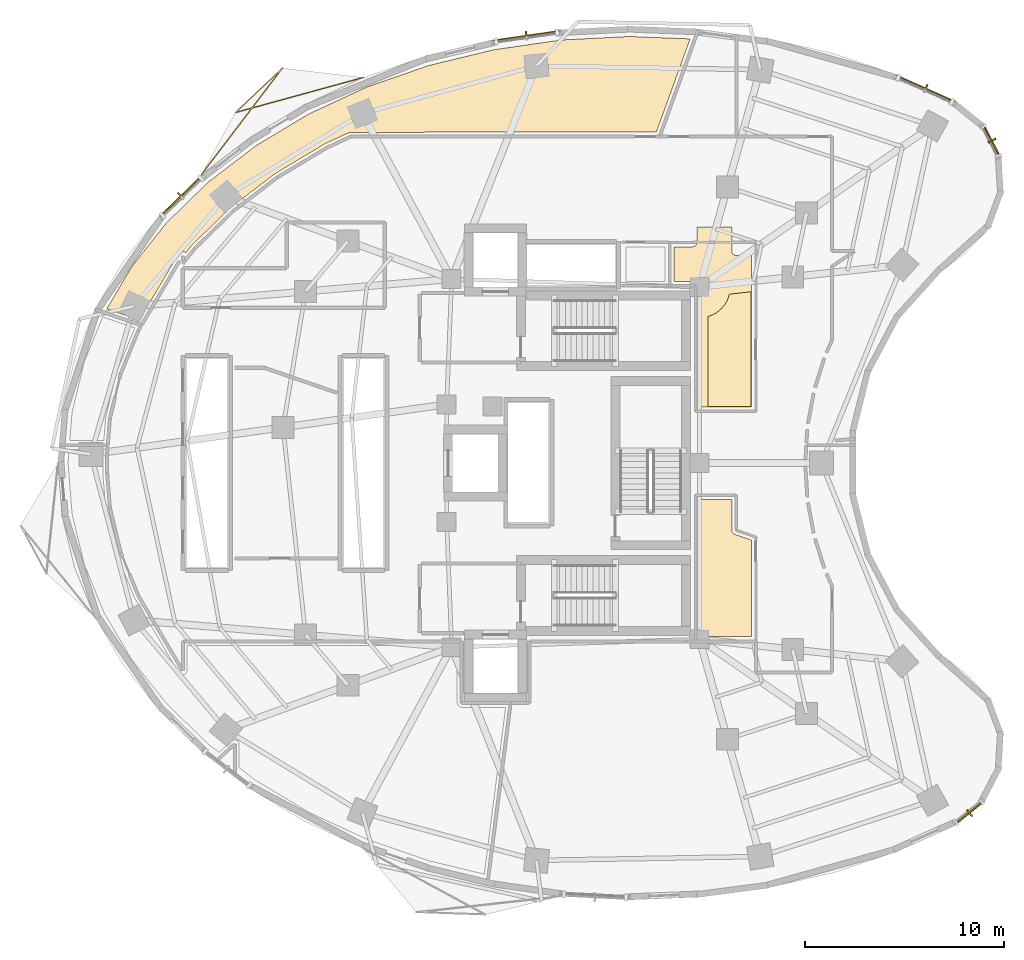
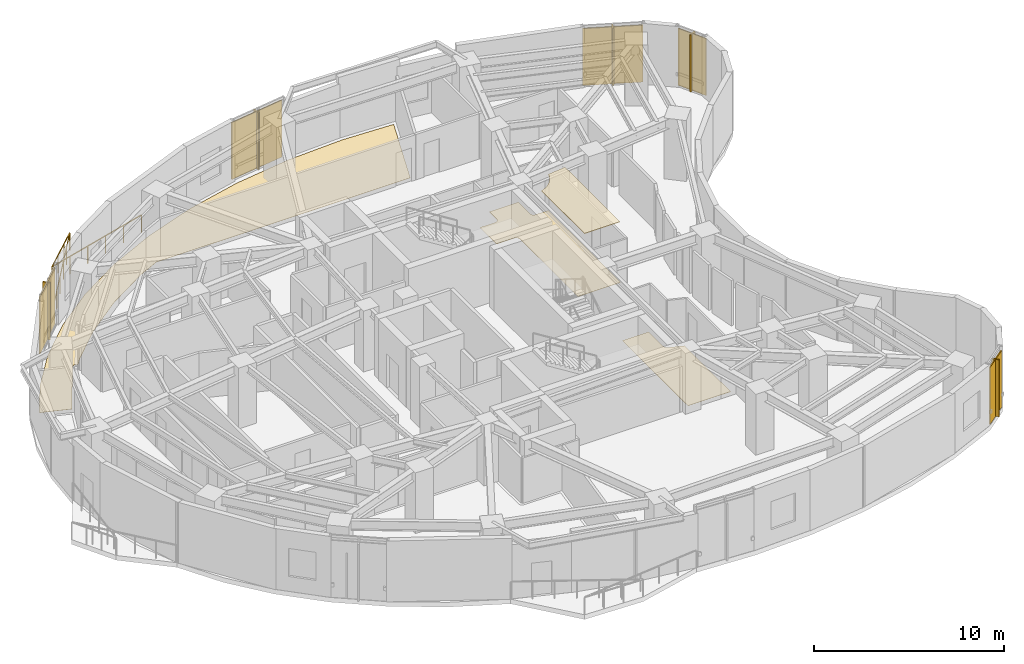
# One storey, part 13 of 13: 10 shading devices, 4 coverings, 1 railing.
"""IFC4 building model written with IfcOpenShell, lengths in metres."""

from ifc_helpers import new_model, si_unit, direction, frame, origin, origin_2d, place, context, subcontext, project, spatial, polyline, rectangle, outline, extrude, material, layer, layer_set, type_object, element, save


model = new_model("IFC4")

# Units and contexts
model_context = context("Model", 3, precision=1e-05, world=origin(), true_north=direction((0.0, 1.0)))
body_context = subcontext(model_context, "Body", "Model", "MODEL_VIEW")
ifc_project = project(units=[si_unit("LENGTHUNIT", "METRE"), si_unit("AREAUNIT", "SQUARE_METRE"), si_unit("VOLUMEUNIT", "CUBIC_METRE"), si_unit("PLANEANGLEUNIT", "RADIAN"), si_unit("MASSUNIT", "GRAM", prefix="KILO")], contexts=[model_context])

# Site, building, storey
site_placement = place(None, origin())
site = spatial("IfcSite", under=ifc_project, at=site_placement, CompositionType="ELEMENT")
building_placement = place(site_placement, origin())
building = spatial("IfcBuilding", under=site, at=building_placement, Name="Korentha Bioscience Tower", CompositionType="ELEMENT")
storey_placement = place(building_placement, frame((0.0, 0.0, 123.60009765625)))
storey = spatial("IfcBuildingStorey", under=building, at=storey_placement, Name="L28", CompositionType="ELEMENT", Elevation=123.60009765625)

# Railing
ifc_material_1 = material(Name="Laminated Tempered Safety Glass", Category="glass")
railing_type = type_object("IfcRailingType", Name="Laminated Glass Balcony Guardrail 1150", PredefinedType="BALUSTRADE", material=ifc_material_1)
railing_placement = place(storey_placement, frame((20.66650390625, 46.37890625, 0.0)))
element("IfcRailing", 1, at=railing_placement, inside=storey, type_object=railing_type, Name="L28 Balcony Guardrail 01", PredefinedType="BALUSTRADE", context=body_context, shape_type="SweptSolid", body=[
    extrude(rectangle(XDim=0.048095703125, YDim=0.048095703125, at=origin_2d()), frame((0.0, 0.0, 1.1259765625), z_axis=(-0.964316998133, -0.264750310883, 0.0), x_axis=(0.264750310883, -0.964316998133, 0.0)), (0.0, 0.0, 1.0), 6.67822265625),
    extrude(rectangle(XDim=0.048095703125, YDim=0.048095703125, at=origin_2d()), frame((-6.43994140625, -1.76806640625, 1.1259765625), z_axis=(0.726986123575, 0.68665215075, 0.0), x_axis=(-0.68665215075, 0.726986123575, 0.0)), (0.0, 0.0, 1.0), 3.256591796875),
    extrude(rectangle(XDim=0.048095703125, YDim=0.048095703125, at=origin_2d()), frame((-4.072509765625, 0.468017578125, 1.1259765625), z_axis=(-0.605446843346, -0.795885745495, 0.0), x_axis=(0.795885745495, -0.605446843346, 0.0)), (0.0, 0.0, 1.0), 6.72412109375),
    extrude(rectangle(XDim=0.0419921875, YDim=0.0419921875, at=origin_2d()), origin(), (0.0, 0.0, 1.0), 1.101806640625),
    extrude(rectangle(XDim=0.0419921875, YDim=0.0419921875, at=origin_2d()), frame((-1.2880859375, -0.353515625, 0.0)), (0.0, 0.0, 1.0), 1.101806640625),
    extrude(rectangle(XDim=0.0419921875, YDim=0.0419921875, at=origin_2d()), frame((-2.575927734375, -0.707275390625, 0.0)), (0.0, 0.0, 1.0), 1.101806640625),
    extrude(rectangle(XDim=0.0419921875, YDim=0.0419921875, at=origin_2d()), frame((-3.864013671875, -1.060791015625, 0.0)), (0.0, 0.0, 1.0), 1.101806640625),
    extrude(rectangle(XDim=0.0419921875, YDim=0.0419921875, at=origin_2d()), frame((-5.15185546875, -1.41455078125, 0.0)), (0.0, 0.0, 1.0), 1.101806640625),
    extrude(rectangle(XDim=0.0419921875, YDim=0.0419921875, at=origin_2d()), frame((-6.43994140625, -1.76806640625, 0.0)), (0.0, 0.0, 1.0), 1.101806640625),
    extrude(rectangle(XDim=0.0419921875, YDim=0.0419921875, at=origin_2d()), frame((-5.65087890625, -1.022705078125, 0.0)), (0.0, 0.0, 1.0), 1.101806640625),
    extrude(rectangle(XDim=0.0419921875, YDim=0.0419921875, at=origin_2d()), frame((-4.861572265625, -0.27734375, 0.0)), (0.0, 0.0, 1.0), 1.101806640625),
    extrude(rectangle(XDim=0.0419921875, YDim=0.0419921875, at=origin_2d()), frame((-4.072509765625, 0.468017578125, 0.0)), (0.0, 0.0, 1.0), 1.101806640625),
    extrude(rectangle(XDim=0.0419921875, YDim=0.0419921875, at=origin_2d()), frame((-4.88671875, -0.602294921875, 0.0)), (0.0, 0.0, 1.0), 1.101806640625),
    extrude(rectangle(XDim=0.0419921875, YDim=0.0419921875, at=origin_2d()), frame((-5.700927734375, -1.672607421875, 0.0)), (0.0, 0.0, 1.0), 1.101806640625),
    extrude(rectangle(XDim=0.0419921875, YDim=0.0419921875, at=origin_2d()), frame((-6.51513671875, -2.742919921875, 0.0)), (0.0, 0.0, 1.0), 1.101806640625),
    extrude(rectangle(XDim=0.0419921875, YDim=0.0419921875, at=origin_2d()), frame((-7.329345703125, -3.813232421875, 0.0)), (0.0, 0.0, 1.0), 1.101806640625),
    extrude(rectangle(XDim=0.0419921875, YDim=0.0419921875, at=origin_2d()), frame((-8.1435546875, -4.883544921875, 0.0)), (0.0, 0.0, 1.0), 1.101806640625),
])

# Covering
ifc_material_2 = material(Name="Antimicrobial Mineral Fibre Board", Category="gypsum")
ifc_layer_1 = layer(ifc_material_2, 0.034912109375, Name="Antimicrobial Mineral Fibre Board")
ifc_layer_set_1 = layer_set([ifc_layer_1], Name="Antimicrobial Mineral Fibre Board (CL-MF35)")
covering_type_1 = type_object("IfcCoveringType", Name="Mineral-Fibre Cleanroom Suspended Ceiling 35", PredefinedType="CEILING", material=ifc_layer_set_1)
covering_1_placement = place(storey_placement, frame((0.0, 0.0, 3.864990234375)))
element("IfcCovering", 2, at=covering_1_placement, inside=storey, type_object=covering_type_1, Name="L28 Patent and Regulatory Affairs Office 06 Acoustic Ceiling", PredefinedType="CEILING", context=body_context, shape_type="SweptSolid", body=[
    extrude(outline(polyline([(40.139892578125, 29.85205078125), (37.989990234375, 29.852294921875), (37.989990234375, 34.3642578125), (38.28076171875, 34.48291015625), (38.4111328125, 34.561279296875), (38.64599609375, 34.75390625), (38.8388671875, 34.989013671875), (38.9169921875, 35.119384765625), (38.98193359375, 35.2568359375), (39.055908203125, 35.490966796875), (40.139892578125, 35.609130859375), (40.139892578125, 29.85205078125)])), origin(), (0.0, 0.0, 1.0), 0.034912109375),
])

# Shading devices
ifc_material_3 = material(Name="Perforated Stone-Ceramic Composite", Category="masonry")
ifc_layer_2 = layer(ifc_material_3, 0.06494140625, Name="Perforated Stone-Ceramic Composite")
ifc_layer_set_2 = layer_set([ifc_layer_2], Name="Perforated Stone-Ceramic Composite (CS-01)")
shading_device_type_1 = type_object("IfcShadingDeviceType", Name="Perforated Stone-Ceramic Solar Screen Panel 65", PredefinedType="USERDEFINED", material=ifc_layer_set_2)
shading_device_1_placement = place(storey_placement, frame((48.912109375, 45.811279296875, 0.0), z_axis=(0.0, 0.0, 1.0), x_axis=(-0.912686563127, 0.408660295952, 0.0)))
element("IfcShadingDevice", 3, at=shading_device_1_placement, inside=storey, type_object=shading_device_type_1, Name="CW-L28-01 Perforated Stone-Ceramic Solar Screen", ObjectType="SCREEN", PredefinedType="USERDEFINED", context=body_context, shape_type="SweptSolid", body=[
    extrude(rectangle(XDim=3.1806640625, YDim=0.06494140625, at=origin_2d()), origin(), (0.0, 0.0, 1.0), 3.64990234375),
])
shading_device_2_placement = place(storey_placement, frame((28.85888671875, 48.46240234375, 0.0), z_axis=(0.0, 0.0, 1.0), x_axis=(-0.989738282326, -0.14289203091, 0.0)))
element("IfcShadingDevice", 4, at=shading_device_2_placement, inside=storey, type_object=shading_device_type_1, Name="CW-L28-07 Perforated Stone-Ceramic Solar Screen", ObjectType="SCREEN", PredefinedType="USERDEFINED", context=body_context, shape_type="SweptSolid", body=[
    extrude(rectangle(XDim=3.351318359375, YDim=0.06494140625, at=origin_2d()), origin(), (0.0, 0.0, 1.0), 3.64990234375),
])
shading_device_3_placement = place(storey_placement, frame((11.497314453125, 40.41162109375, 0.0), z_axis=(0.0, 0.0, 1.0), x_axis=(-0.716095631804, -0.698002182025, 0.0)))
element("IfcShadingDevice", 5, at=shading_device_3_placement, inside=storey, type_object=shading_device_type_1, Name="CW-L28-13 Perforated Stone-Ceramic Solar Screen", ObjectType="SCREEN", PredefinedType="USERDEFINED", context=body_context, shape_type="SweptSolid", body=[
    extrude(rectangle(XDim=2.8818359375, YDim=0.06494140625, at=origin_2d()), origin(), (0.0, 0.0, 1.0), 3.64990234375),
])
for number, where, z_axis, x_axis, name in (
    (6, (51.1103515625, 9.428955078125, 0.0), (0.0, 0.0, 1.0), (0.777315301098, 0.629111216463, 0.0), "CW-L28-37 Perforated Stone-Ceramic Solar Screen"),
    (7, (52.2294921875, 43.1953125, 0.0), (0.0, 0.0, 1.0), (-0.457613117169, 0.889151412862, 0.0), "CW-L28-61 Perforated Stone-Ceramic Solar Screen"),
):
    element("IfcShadingDevice", number, at=place(storey_placement, frame(where, z_axis=z_axis, x_axis=x_axis)), inside=storey, type_object=shading_device_type_1, Name=name, ObjectType="SCREEN", PredefinedType="USERDEFINED", context=body_context, shape_type="SweptSolid", body=[
        extrude(rectangle(XDim=1.737548828125, YDim=0.06494140625, at=origin_2d()), origin(), (0.0, 0.0, 1.0), 3.64990234375),
    ])

# Coverings
ifc_material_4 = material(Name="Chemical-Resistant Epoxy Resin", Category="polymer")
ifc_layer_3 = layer(ifc_material_4, 0.011962890625, Name="Chemical-Resistant Epoxy Resin")
ifc_layer_set_3 = layer_set([ifc_layer_3], Name="Chemical-Resistant Epoxy Resin (FL-EPX)")
covering_type_2 = type_object("IfcCoveringType", Name="Seamless Epoxy Laboratory Flooring 12", PredefinedType="FLOORING", material=ifc_layer_set_3)
covering_2_placement = place(storey_placement, origin())
element("IfcCovering", 8, at=covering_2_placement, inside=storey, type_object=covering_type_2, Name="L28 Research Colloquium Seminar Room 04 Floor Finish", PredefinedType="FLOORING", context=body_context, shape_type="SweptSolid", body=[
    extrude(outline(polyline([(37.580078125, 25.169921875), (39.177978515625, 25.169921875), (39.177734375, 23.633544921875), (39.20166015625, 23.5283203125), (39.23974609375, 23.474609375), (39.310791015625, 23.4248046875), (40.169921875, 23.12841796875), (40.169921875, 18.278076171875), (37.580078125, 18.278076171875), (37.580078125, 25.169921875)])), origin(), (0.0, 0.0, 1.0), 0.011962890625),
])
covering_3_placement = place(storey_placement, origin())
element("IfcCovering", 9, at=covering_3_placement, inside=storey, type_object=covering_type_2, Name="L28 Patent and Regulatory Affairs Office 06 Floor Finish", PredefinedType="FLOORING", context=body_context, shape_type="SweptSolid", body=[
    extrude(outline(polyline([(39.177978515625, 37.646728515625), (39.1953125, 37.5654296875), (39.23046875, 37.5078125), (39.28076171875, 37.463623046875), (39.363037109375, 37.431396484375), (40.169921875, 37.427978515625), (40.169921875, 29.822021484375), (37.580078125, 29.822021484375), (37.577392578125, 35.93408203125), (37.5576171875, 35.998779296875), (37.5048828125, 36.070068359375), (37.38427734375, 36.12744140625), (36.280029296875, 36.1298828125), (36.280029296875, 37.8701171875), (37.2119140625, 37.870361328125), (37.27783203125, 37.883544921875), (37.35400390625, 37.92919921875), (37.40771484375, 38.001220703125), (37.4296875, 38.088134765625), (37.429931640625, 38.8701171875), (39.177978515625, 38.8701171875), (39.177978515625, 37.646728515625)])), origin(), (0.0, 0.0, 1.0), 0.011962890625),
])
covering_4_placement = place(storey_placement, origin())
element("IfcCovering", 10, at=covering_4_placement, inside=storey, type_object=covering_type_2, Name="L28 Terrace View Refreshment Lounge 08 Floor Finish", PredefinedType="FLOORING", context=body_context, shape_type="SweptSolid", body=[
    extrude(outline(polyline([(9.017822265625, 36.86376953125), (10.766845703125, 39.0712890625), (12.85693359375, 41.108642578125), (15.259033203125, 42.944580078125), (17.938720703125, 44.5517578125), (20.857421875, 45.905517578125), (23.972900390625, 46.98486328125), (27.23876953125, 47.77392578125), (30.60791015625, 48.260498046875), (34.030517578125, 48.436767578125), (37.081298828125, 48.3154296875), (35.386474609375, 43.63330078125), (19.9814453125, 43.62158203125), (18.735595703125, 43.047119140625), (16.21533203125, 41.535400390625), (13.97021484375, 39.8193359375), (12.042236328125, 37.940673828125), (11.744873046875, 37.568115234375), (11.681640625, 37.6142578125), (11.596435546875, 37.637451171875), (11.5087890625, 37.626708984375), (11.431396484375, 37.583740234375), (11.3818359375, 37.52490234375), (9.4130859375, 34.188232421875), (7.772705078125, 34.753173828125), (9.017822265625, 36.86376953125)])), origin(), (0.0, 0.0, 1.0), 0.011962890625),
])

# Shading devices
ifc_material_5 = material(Name="Honed Travertine Limestone", Category="masonry")
ifc_layer_4 = layer(ifc_material_5, 0.080078125, Name="Honed Travertine Limestone")
ifc_layer_set_4 = layer_set([ifc_layer_4], Name="Honed Travertine Limestone (CS-02)")
shading_device_type_2 = type_object("IfcShadingDeviceType", Name="Vertical Honed Limestone Sunshade Fin 80x420", PredefinedType="USERDEFINED", material=ifc_layer_set_4)
for number, where, z_axis, x_axis, name in (
    (11, (48.92041015625, 45.82958984375, 0.0), (0.0, 0.0, 1.0), (-0.912686563127, 0.408660295952, 0.0), "CW-L28-01 Limestone Sunshade Fin"),
    (12, (28.856201171875, 48.482421875, 0.0), (0.0, 0.0, 1.0), (-0.989738282326, -0.14289203091, 0.0), "CW-L28-07 Limestone Sunshade Fin"),
    (13, (11.483154296875, 40.42578125, 0.0), (0.0, 0.0, 1.0), (-0.716095631804, -0.698002182025, 0.0), "CW-L28-13 Limestone Sunshade Fin"),
    (14, (51.122802734375, 9.413330078125, 0.0), (0.0, 0.0, 1.0), (0.777315301098, 0.629111216463, 0.0), "CW-L28-37 Limestone Sunshade Fin"),
    (15, (52.2470703125, 43.20458984375, 0.0), (0.0, 0.0, 1.0), (-0.457613117169, 0.889151412862, 0.0), "CW-L28-61 Limestone Sunshade Fin"),
):
    element("IfcShadingDevice", number, at=place(storey_placement, frame(where, z_axis=z_axis, x_axis=x_axis)), inside=storey, type_object=shading_device_type_2, Name=name, ObjectType="SCREEN", PredefinedType="USERDEFINED", context=body_context, shape_type="SweptSolid", body=[
        extrude(rectangle(XDim=0.080078125, YDim=0.419921875, at=origin_2d()), origin(), (0.0, 0.0, 1.0), 3.64990234375),
    ])

save(model, "model.ifc")
